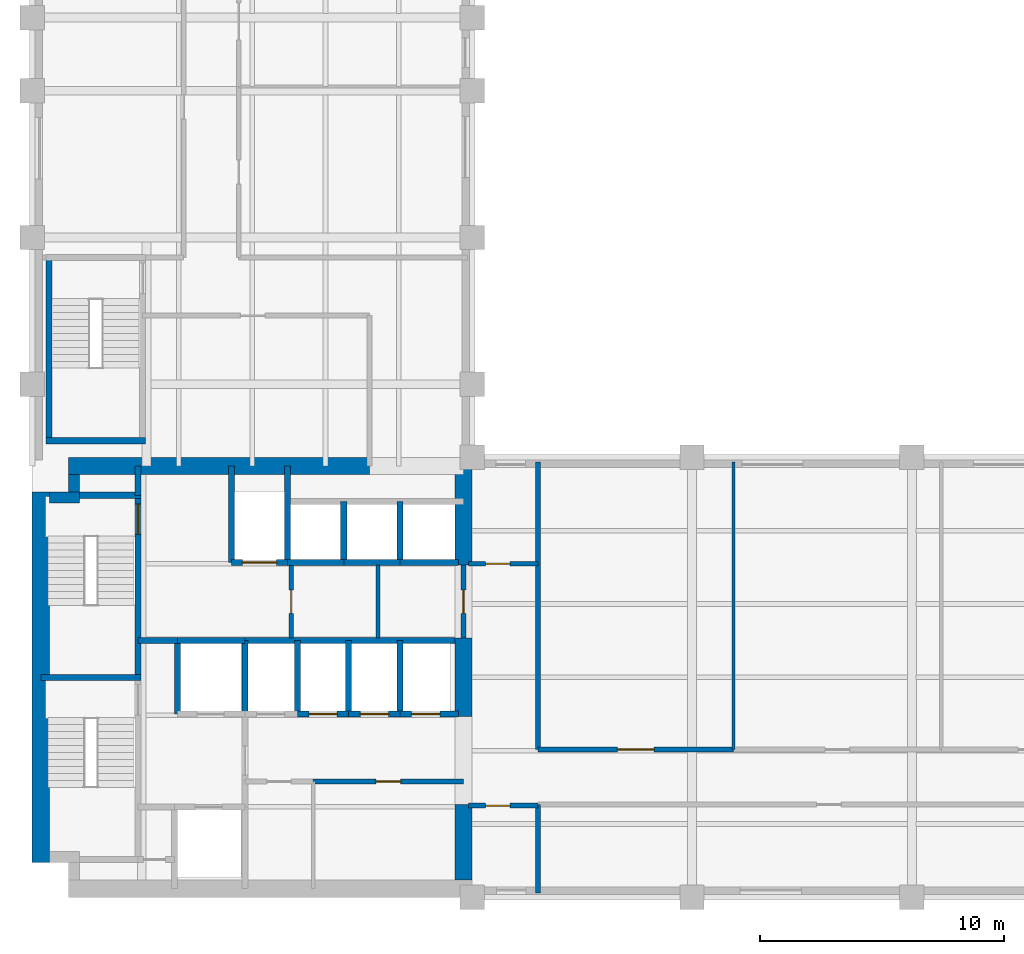
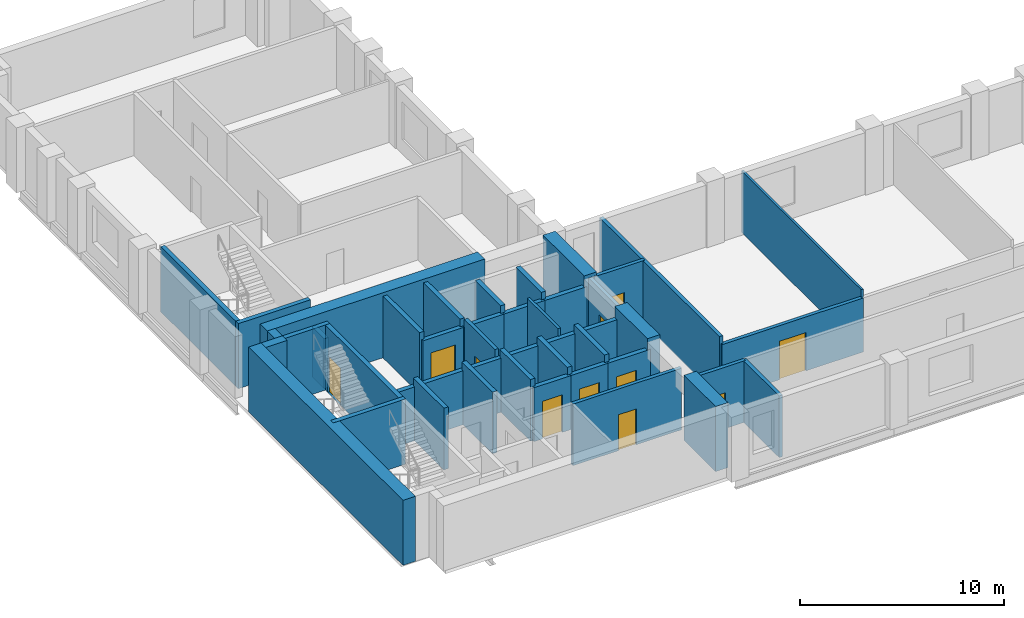
# One storey, part 3 of 7: 42 walls, 11 doors, 11 openings.
"""IFC4 building model written with IfcOpenShell, lengths in metres."""

from ifc_helpers import new_model, si_unit, direction, frame, frame_2d, origin, place, context, subcontext, project, spatial, rectangle, extrude, material, layer, layer_set, type_object, element, fill, save


model = new_model("IFC4")

# Units and contexts
model_context = context("Model", 3, precision=1e-05, world=origin(), true_north=direction((0.0, 1.0)))
body_context = subcontext(model_context, "Body", "Model", "MODEL_VIEW")
ifc_project = project(units=[si_unit("LENGTHUNIT", "METRE"), si_unit("AREAUNIT", "SQUARE_METRE"), si_unit("VOLUMEUNIT", "CUBIC_METRE"), si_unit("PLANEANGLEUNIT", "RADIAN"), si_unit("MASSUNIT", "GRAM", prefix="KILO")], contexts=[model_context])

# Site, building, storey
site_placement = place(None, origin())
site = spatial("IfcSite", under=ifc_project, at=site_placement, CompositionType="ELEMENT")
building_placement = place(site_placement, origin())
building = spatial("IfcBuilding", under=site, at=building_placement, Name="Mawjdan Bourse Tower", CompositionType="ELEMENT")
storey_placement = place(building_placement, frame((0.0, 0.0, 147.89990234375)))
storey = spatial("IfcBuildingStorey", under=building, at=storey_placement, Name="L35", CompositionType="ELEMENT", Elevation=147.89990234375)

# Wall, opening, door
ifc_material_1 = material(Name="Gypsum Fireboard Assembly")
ifc_layer_1 = layer(ifc_material_1, 0.199951171875)
ifc_layer_set_1 = layer_set([ifc_layer_1], Name="Gypsum Fireboard Assembly")
wall_type_1 = type_object("IfcWallType", Name="WL-CMP-200", PredefinedType="PARTITIONING", material=ifc_layer_set_1)
wall_1_placement = place(storey_placement, frame((17.5, 7.739990234375, 0.0), z_axis=(0.0, 0.0, 1.0), x_axis=(1.0, 0.0, 0.0)))
wall_1 = element("IfcWall", 1, at=wall_1_placement, inside=storey, type_object=wall_type_1, Name="L35 Reprographics & Pantry Suite North Wall", PredefinedType="PARTITIONING", context=body_context, shape_type="SweptSolid", body=[
    extrude(rectangle(XDim=6.14990234375, YDim=0.199951171875, at=frame_2d((3.074951171875, 0.0))), origin(), (0.0, 0.0, 1.0), 3.690185546875),
])
opening_1_placement = place(wall_1_placement, frame((2.574951171875, 0.0, 0.0)))
opening_1 = element("IfcOpeningElement", 2, at=opening_1_placement, cuts=wall_1, Name="Opening D-L35-11", PredefinedType="OPENING", context=body_context, shape_type="SweptSolid", body=[
    extrude(rectangle(XDim=1.0, YDim=2.14990234375, at=frame_2d((0.5, 1.074951171875))), frame((0.0, 0.10986328125, 0.0), z_axis=(0.0, -1.0, 0.0), x_axis=(1.0, 0.0, 0.0)), (0.0, 0.0, 1.0), 0.219970703125),
])
ifc_material_2 = material(Name="Hardwood Acoustic Leaf", Category="wood")
door_type_1 = type_object("IfcDoorType", Name="DR-OFC-1000", OperationType="NOTDEFINED", PredefinedType="DOOR", material=ifc_material_2)
door_1_placement = place(opening_1_placement, origin())
door_1 = element("IfcDoor", 3, at=door_1_placement, inside=storey, type_object=door_type_1, Name="L35 Reprographics & Pantry Suite Door D-L35-11", OperationType="SINGLE_SWING_LEFT", OverallHeight=2.14990234375, OverallWidth=1.0, PredefinedType="DOOR", context=body_context, shape_type="SweptSolid", body=[
    extrude(rectangle(XDim=1.0, YDim=2.14990234375, at=frame_2d((0.5, 1.074951171875))), frame((0.0, 0.02490234375, 0.0), z_axis=(0.0, -1.0, 0.0), x_axis=(1.0, 0.0, 0.0)), (0.0, 0.0, 1.0), 0.050048828125),
])
fill(opening_1, door_1)

wall_2_placement = place(storey_placement, frame((16.60009765625, 13.60009765625, 0.0), z_axis=(0.0, 0.0, 1.0), x_axis=(0.0, 1.0, 0.0)))
wall_2 = element("IfcWall", 4, at=wall_2_placement, inside=storey, type_object=wall_type_1, Name="L35 Core Restroom West Wall", PredefinedType="PARTITIONING", context=body_context, shape_type="SweptSolid", body=[
    extrude(rectangle(XDim=3.0, YDim=0.199951171875, at=frame_2d((1.5, 0.0))), origin(), (0.0, 0.0, 1.0), 3.690185546875),
])
opening_2_placement = place(wall_2_placement, frame((1.02001953125, 0.0, 0.0)))
opening_2 = element("IfcOpeningElement", 5, at=opening_2_placement, cuts=wall_2, Name="Opening D-L35-16", PredefinedType="OPENING", context=body_context, shape_type="SweptSolid", body=[
    extrude(rectangle(XDim=0.949951171875, YDim=2.10009765625, at=frame_2d((0.47509765625, 1.050048828125))), frame((0.0, 0.10986328125, 0.0), z_axis=(0.0, -1.0, 0.0), x_axis=(1.0, 0.0, 0.0)), (0.0, 0.0, 1.0), 0.219970703125),
])
ifc_material_3 = material(Name="Moisture-Resistant Laminate Timber", Category="wood")
door_type_2 = type_object("IfcDoorType", Name="DR-WET-0950", OperationType="NOTDEFINED", PredefinedType="DOOR", material=ifc_material_3)
door_2_placement = place(opening_2_placement, origin())
door_2 = element("IfcDoor", 6, at=door_2_placement, inside=storey, type_object=door_type_2, Name="L35 Female Restroom Entry Door D-L35-16", OperationType="SINGLE_SWING_RIGHT", OverallHeight=2.10009765625, OverallWidth=0.949951171875, PredefinedType="DOOR", context=body_context, shape_type="SweptSolid", body=[
    extrude(rectangle(XDim=0.949951171875, YDim=2.10009765625, at=frame_2d((0.47509765625, 1.050048828125))), frame((0.0, 0.02490234375, 0.0), z_axis=(0.0, -1.0, 0.0), x_axis=(1.0, 0.0, 0.0)), (0.0, 0.0, 1.0), 0.050048828125),
])
fill(opening_2, door_2)

wall_3_placement = place(storey_placement, frame((23.64990234375, 13.60009765625, 0.0), z_axis=(0.0, 0.0, 1.0), x_axis=(0.0, 1.0, 0.0)))
wall_3 = element("IfcWall", 7, at=wall_3_placement, inside=storey, type_object=wall_type_1, Name="L35 Core Restroom East Enclosing Wall", PredefinedType="PARTITIONING", context=body_context, shape_type="SweptSolid", body=[
    extrude(rectangle(XDim=3.0, YDim=0.199951171875, at=frame_2d((1.5, 0.0))), origin(), (0.0, 0.0, 1.0), 3.690185546875),
])
opening_3_placement = place(wall_3_placement, frame((1.02001953125, 0.0, 0.0)))
opening_3 = element("IfcOpeningElement", 8, at=opening_3_placement, cuts=wall_3, Name="Opening D-L35-17", PredefinedType="OPENING", context=body_context, shape_type="SweptSolid", body=[
    extrude(rectangle(XDim=0.949951171875, YDim=2.10009765625, at=frame_2d((0.47509765625, 1.050048828125))), frame((0.0, 0.10986328125, 0.0), z_axis=(0.0, -1.0, 0.0), x_axis=(1.0, 0.0, 0.0)), (0.0, 0.0, 1.0), 0.219970703125),
])
door_3_placement = place(opening_3_placement, origin())
door_3 = element("IfcDoor", 9, at=door_3_placement, inside=storey, type_object=door_type_2, Name="L35 Accessible WC East Entry Door D-L35-17", OperationType="SINGLE_SWING_LEFT", OverallHeight=2.10009765625, OverallWidth=0.949951171875, PredefinedType="DOOR", context=body_context, shape_type="SweptSolid", body=[
    extrude(rectangle(XDim=0.949951171875, YDim=2.10009765625, at=frame_2d((0.47509765625, 1.050048828125))), frame((0.0, 0.02490234375, 0.0), z_axis=(0.0, -1.0, 0.0), x_axis=(1.0, 0.0, 0.0)), (0.0, 0.0, 1.0), 0.050048828125),
])
fill(opening_3, door_3)

wall_4_placement = place(storey_placement, frame((23.85009765625, 6.75, 0.0), z_axis=(0.0, 0.0, 1.0), x_axis=(1.0, 0.0, 0.0)))
wall_4 = element("IfcWall", 10, at=wall_4_placement, inside=storey, type_object=wall_type_1, Name="L35 West Pocket North Wall", PredefinedType="PARTITIONING", context=body_context, shape_type="SweptSolid", body=[
    extrude(rectangle(XDim=2.849853515625, YDim=0.199951171875, at=frame_2d((1.4248046875, 0.0))), origin(), (0.0, 0.0, 1.0), 3.690185546875),
])
opening_4_placement = place(wall_4_placement, frame((0.699951171875, 0.0, 0.0)))
opening_4 = element("IfcOpeningElement", 11, at=opening_4_placement, cuts=wall_4, Name="Opening D-L35-19", PredefinedType="OPENING", context=body_context, shape_type="SweptSolid", body=[
    extrude(rectangle(XDim=1.0, YDim=2.14990234375, at=frame_2d((0.5, 1.074951171875))), frame((0.0, 0.10986328125, 0.0), z_axis=(0.0, -1.0, 0.0), x_axis=(1.0, 0.0, 0.0)), (0.0, 0.0, 1.0), 0.219970703125),
])
door_4_placement = place(opening_4_placement, origin())
door_4 = element("IfcDoor", 12, at=door_4_placement, inside=storey, type_object=door_type_1, Name="L35 West Pocket Office Door D-L35-19", OperationType="SINGLE_SWING_LEFT", OverallHeight=2.14990234375, OverallWidth=1.0, PredefinedType="DOOR", context=body_context, shape_type="SweptSolid", body=[
    extrude(rectangle(XDim=1.0, YDim=2.14990234375, at=frame_2d((0.5, 1.074951171875))), frame((0.0, 0.02490234375, 0.0), z_axis=(0.0, -1.0, 0.0), x_axis=(1.0, 0.0, 0.0)), (0.0, 0.0, 1.0), 0.050048828125),
])
fill(opening_4, door_4)

wall_5_placement = place(storey_placement, frame((23.85009765625, 16.64990234375, 0.0), z_axis=(0.0, 0.0, 1.0), x_axis=(1.0, 0.0, 0.0)))
wall_5 = element("IfcWall", 13, at=wall_5_placement, inside=storey, type_object=wall_type_1, Name="L35 West North Pocket Wall", PredefinedType="PARTITIONING", context=body_context, shape_type="SweptSolid", body=[
    extrude(rectangle(XDim=2.849853515625, YDim=0.199951171875, at=frame_2d((1.4248046875, 0.0))), origin(), (0.0, 0.0, 1.0), 3.690185546875),
])
opening_5_placement = place(wall_5_placement, frame((0.699951171875, 0.0, 0.0)))
opening_5 = element("IfcOpeningElement", 14, at=opening_5_placement, cuts=wall_5, Name="Opening D-L35-20", PredefinedType="OPENING", context=body_context, shape_type="SweptSolid", body=[
    extrude(rectangle(XDim=1.0, YDim=2.14990234375, at=frame_2d((0.5, 1.074951171875))), frame((0.0, 0.10986328125, 0.0), z_axis=(0.0, -1.0, 0.0), x_axis=(1.0, 0.0, 0.0)), (0.0, 0.0, 1.0), 0.219970703125),
])
door_5_placement = place(opening_5_placement, origin())
door_5 = element("IfcDoor", 15, at=door_5_placement, inside=storey, type_object=door_type_1, Name="L35 West North Pocket Door D-L35-20", OperationType="SINGLE_SWING_RIGHT", OverallHeight=2.14990234375, OverallWidth=1.0, PredefinedType="DOOR", context=body_context, shape_type="SweptSolid", body=[
    extrude(rectangle(XDim=1.0, YDim=2.14990234375, at=frame_2d((0.5, 1.074951171875))), frame((0.0, 0.02490234375, 0.0), z_axis=(0.0, -1.0, 0.0), x_axis=(1.0, 0.0, 0.0)), (0.0, 0.0, 1.0), 0.050048828125),
])
fill(opening_5, door_5)

# Walls
wall_6_placement = place(storey_placement, frame((26.699951171875, 3.179931640625, 0.0), z_axis=(0.0, 0.0, 1.0), x_axis=(0.0, 1.0, 0.0)))
element("IfcWall", 16, at=wall_6_placement, inside=storey, type_object=wall_type_1, Name="L35 Vestibule South East Wall", PredefinedType="PARTITIONING", context=body_context, shape_type="SweptSolid", body=[
    extrude(rectangle(XDim=3.6201171875, YDim=0.199951171875, at=frame_2d((1.81005859375, 0.0))), origin(), (0.0, 0.0, 1.0), 3.690185546875),
])
wall_7_placement = place(storey_placement, frame((26.699951171875, 9.050048828125, 0.0), z_axis=(0.0, 0.0, 1.0), x_axis=(0.0, 1.0, 0.0)))
element("IfcWall", 17, at=wall_7_placement, inside=storey, type_object=wall_type_1, Name="L35 Vestibule North East Wall", PredefinedType="PARTITIONING", context=body_context, shape_type="SweptSolid", body=[
    extrude(rectangle(XDim=11.77001953125, YDim=0.199951171875, at=frame_2d((5.885009765625, 0.0))), origin(), (0.0, 0.0, 1.0), 3.690185546875),
])

# Wall, opening, door
wall_8_placement = place(storey_placement, frame((26.699951171875, 9.050048828125, 0.0), z_axis=(0.0, 0.0, 1.0), x_axis=(1.0, 0.0, 0.0)))
wall_8 = element("IfcWall", 18, at=wall_8_placement, inside=storey, type_object=wall_type_1, Name="L35 Conference Room Corridor Wall", PredefinedType="PARTITIONING", context=body_context, shape_type="SweptSolid", body=[
    extrude(rectangle(XDim=8.0, YDim=0.199951171875, at=frame_2d((4.0, 0.0))), origin(), (0.0, 0.0, 1.0), 3.233154296875),
])
opening_6_placement = place(wall_8_placement, frame((3.25, 0.0, 0.0)))
opening_6 = element("IfcOpeningElement", 19, at=opening_6_placement, cuts=wall_8, Name="Opening D-L35-22", PredefinedType="OPENING", context=body_context, shape_type="SweptSolid", body=[
    extrude(rectangle(XDim=1.5, YDim=2.300048828125, at=frame_2d((0.75, 1.14990234375))), frame((0.0, 0.10986328125, 0.0), z_axis=(0.0, -1.0, 0.0), x_axis=(1.0, 0.0, 0.0)), (0.0, 0.0, 1.0), 0.219970703125),
])
ifc_material_4 = material(Name="Acoustic Glazed Timber", Category="wood")
door_type_3 = type_object("IfcDoorType", Name="DR-CNF-1500", OperationType="DOUBLE_DOOR_SINGLE_SWING", PredefinedType="DOOR", material=ifc_material_4)
door_6_placement = place(opening_6_placement, origin())
door_6 = element("IfcDoor", 20, at=door_6_placement, inside=storey, type_object=door_type_3, Name="L35 Conference Room Door D-L35-22", OperationType="DOUBLE_DOOR_SINGLE_SWING", OverallHeight=2.300048828125, OverallWidth=1.5, PredefinedType="DOOR", context=body_context, shape_type="SweptSolid", body=[
    extrude(rectangle(XDim=1.5, YDim=2.300048828125, at=frame_2d((0.75, 1.14990234375))), frame((0.0, 0.02490234375, 0.0), z_axis=(0.0, -1.0, 0.0), x_axis=(1.0, 0.0, 0.0)), (0.0, 0.0, 1.0), 0.050048828125),
])
fill(opening_6, door_6)

# Walls
ifc_material_5 = material(Name="Concrete C60/75", Category="concrete")
ifc_layer_2 = layer(ifc_material_5, 0.449951171875)
ifc_layer_set_2 = layer_set([ifc_layer_2], Name="Concrete C60/75")
wall_type_2 = type_object("IfcWallType", Name="WL-CORE-450", PredefinedType="SHEAR", material=ifc_layer_set_2)
wall_9_placement = place(storey_placement, frame((6.699951171875, 19.35009765625, 0.0), z_axis=(0.0, 0.0, 1.0), x_axis=(1.0, 0.0, 0.0)))
element("IfcWall", 21, at=wall_9_placement, inside=storey, type_object=wall_type_2, Name="L35 Rear Core Shear Wall NW-X", PredefinedType="SHEAR", context=body_context, shape_type="SweptSolid", body=[
    extrude(rectangle(XDim=1.22509765625, YDim=0.449951171875, at=frame_2d((0.612548828125, 0.0))), origin(), (0.0, 0.0, 1.0), 3.900146484375),
])
wall_10_placement = place(storey_placement, frame((7.699951171875, 19.574951171875, 0.0), z_axis=(0.0, 0.0, 1.0), x_axis=(0.0, 1.0, 0.0)))
element("IfcWall", 22, at=wall_10_placement, inside=storey, type_object=wall_type_2, Name="L35 Rear Core Shear Wall NW-Y", PredefinedType="SHEAR", context=body_context, shape_type="SweptSolid", body=[
    extrude(rectangle(XDim=0.72509765625, YDim=0.449951171875, at=frame_2d((0.362548828125, 0.0))), origin(), (0.0, 0.0, 1.0), 3.900146484375),
])
ifc_material_6 = material(Name="Concrete C70/85", Category="concrete")
ifc_layer_3 = layer(ifc_material_6, 0.699951171875)
ifc_layer_set_3 = layer_set([ifc_layer_3], Name="Concrete C70/85")
wall_type_3 = type_object("IfcWallType", Name="WL-CORE-700", PredefinedType="SHEAR", material=ifc_layer_set_3)
wall_11_placement = place(storey_placement, frame((6.35009765625, 4.425048828125, 0.0), z_axis=(0.0, 0.0, 1.0), x_axis=(0.0, 1.0, 0.0)))
element("IfcWall", 23, at=wall_11_placement, inside=storey, type_object=wall_type_3, Name="L35 Rear Core Shear Wall W", PredefinedType="SHEAR", context=body_context, shape_type="SweptSolid", body=[
    extrude(rectangle(XDim=15.14990234375, YDim=0.699951171875, at=frame_2d((7.574951171875, 0.0))), origin(), (0.0, 0.0, 1.0), 3.900146484375),
])
wall_12_placement = place(storey_placement, frame((7.47509765625, 20.64990234375, 0.0), z_axis=(0.0, 0.0, 1.0), x_axis=(1.0, 0.0, 0.0)))
element("IfcWall", 24, at=wall_12_placement, inside=storey, type_object=wall_type_3, Name="L35 Rear Core Shear Wall N", PredefinedType="SHEAR", context=body_context, shape_type="SweptSolid", body=[
    extrude(rectangle(XDim=12.324951171875, YDim=0.699951171875, at=frame_2d((6.16259765625, 0.0))), origin(), (0.0, 0.0, 1.0), 3.900146484375),
])
wall_13_placement = place(storey_placement, frame((23.64990234375, 3.699951171875, 0.0), z_axis=(0.0, 0.0, 1.0), x_axis=(0.0, 1.0, 0.0)))
element("IfcWall", 25, at=wall_13_placement, inside=storey, type_object=wall_type_3, Name="L35 Rear Core Shear Wall E1", PredefinedType="SHEAR", context=body_context, shape_type="SweptSolid", body=[
    extrude(rectangle(XDim=3.10009765625, YDim=0.699951171875, at=frame_2d((1.550048828125, 0.0))), origin(), (0.0, 0.0, 1.0), 3.900146484375),
])
wall_14_placement = place(storey_placement, frame((23.64990234375, 10.39990234375, 0.0), z_axis=(0.0, 0.0, 1.0), x_axis=(0.0, 1.0, 0.0)))
element("IfcWall", 26, at=wall_14_placement, inside=storey, type_object=wall_type_3, Name="L35 Rear Core Shear Wall E2", PredefinedType="SHEAR", context=body_context, shape_type="SweptSolid", body=[
    extrude(rectangle(XDim=3.2001953125, YDim=0.699951171875, at=frame_2d((1.60009765625, 0.0))), origin(), (0.0, 0.0, 1.0), 3.900146484375),
])
wall_15_placement = place(storey_placement, frame((23.64990234375, 16.60009765625, 0.0), z_axis=(0.0, 0.0, 1.0), x_axis=(0.0, 1.0, 0.0)))
element("IfcWall", 27, at=wall_15_placement, inside=storey, type_object=wall_type_3, Name="L35 Rear Core Shear Wall E3", PredefinedType="SHEAR", context=body_context, shape_type="SweptSolid", body=[
    extrude(rectangle(XDim=4.0498046875, YDim=0.699951171875, at=frame_2d((2.02490234375, 0.0))), origin(), (0.0, 0.0, 1.0), 3.900146484375),
])
ifc_material_7 = material(Name="Gypsum Partition")
ifc_layer_4 = layer(ifc_material_7, 0.125)
ifc_layer_set_4 = layer_set([ifc_layer_4], Name="Gypsum Partition")
wall_type_4 = type_object("IfcWallType", Name="WL-PRT-125", PredefinedType="PARTITIONING", material=ifc_layer_set_4)
wall_16_placement = place(storey_placement, frame((34.699951171875, 9.050048828125, 0.0), z_axis=(0.0, 0.0, 1.0), x_axis=(0.0, 1.0, 0.0)))
element("IfcWall", 28, at=wall_16_placement, inside=storey, type_object=wall_type_4, Name="L35 Executive Office Partition", PredefinedType="PARTITIONING", context=body_context, shape_type="SweptSolid", body=[
    extrude(rectangle(XDim=11.77001953125, YDim=0.125, at=frame_2d((5.885009765625, 0.0))), origin(), (0.0, 0.0, 1.0), 3.690185546875),
])
ifc_material_8 = material(Name="Gypsum Acoustic Partition")
ifc_layer_5 = layer(ifc_material_8, 0.14990234375)
ifc_layer_set_5 = layer_set([ifc_layer_5], Name="Gypsum Acoustic Partition")
wall_type_5 = type_object("IfcWallType", Name="WL-PRT-150", PredefinedType="PARTITIONING", material=ifc_layer_set_5)
wall_17_placement = place(storey_placement, frame((20.14990234375, 13.60009765625, 0.0), z_axis=(0.0, 0.0, 1.0), x_axis=(0.0, 1.0, 0.0)))
element("IfcWall", 29, at=wall_17_placement, inside=storey, type_object=wall_type_5, Name="L35 Core Restroom Vertical Split", PredefinedType="PARTITIONING", context=body_context, shape_type="SweptSolid", body=[
    extrude(rectangle(XDim=3.0, YDim=0.14990234375, at=frame_2d((1.5, 0.0))), origin(), (0.0, 0.0, 1.0), 3.690185546875),
])
ifc_material_9 = material(Name="Concrete C50/60", Category="concrete")
ifc_layer_6 = layer(ifc_material_9, 0.25)
ifc_layer_set_6 = layer_set([ifc_layer_6], Name="Concrete C50/60")
wall_type_6 = type_object("IfcWallType", Name="WL-SHFT-250", PredefinedType="PARTITIONING", material=ifc_layer_set_6)
wall_18_placement = place(storey_placement, frame((10.330078125, 19.449951171875, 0.0), z_axis=(0.0, 0.0, 1.0), x_axis=(0.0, 1.0, 0.0)))
element("IfcWall", 30, at=wall_18_placement, inside=storey, type_object=wall_type_6, Name="L35 NW Riser East Wall", PredefinedType="PARTITIONING", context=body_context, shape_type="SweptSolid", body=[
    extrude(rectangle(XDim=1.199951171875, YDim=0.25, at=frame_2d((0.60009765625, 0.0))), origin(), (0.0, 0.0, 1.0), 2.994140625),
])
wall_19_placement = place(storey_placement, frame((11.949951171875, 10.5, 0.0), z_axis=(0.0, 0.0, 1.0), x_axis=(0.0, 1.0, 0.0)))
element("IfcWall", 31, at=wall_19_placement, inside=storey, type_object=wall_type_6, Name="L35 FFL-02 West Shaft Wall", PredefinedType="PARTITIONING", context=body_context, shape_type="SweptSolid", body=[
    extrude(rectangle(XDim=3.0, YDim=0.25, at=frame_2d((1.5, 0.0))), origin(), (0.0, 0.0, 1.0), 3.690185546875),
])
wall_20_placement = place(storey_placement, frame((11.949951171875, 13.5, 0.0), z_axis=(0.0, 0.0, 1.0), x_axis=(1.0, 0.0, 0.0)))
element("IfcWall", 32, at=wall_20_placement, inside=storey, type_object=wall_type_6, Name="L35 FFL-02 North Shaft Wall", PredefinedType="PARTITIONING", context=body_context, shape_type="SweptSolid", body=[
    extrude(rectangle(XDim=2.75, YDim=0.25, at=frame_2d((1.375, 0.0))), origin(), (0.0, 0.0, 1.0), 3.233154296875),
])
wall_21_placement = place(storey_placement, frame((14.699951171875, 10.5, 0.0), z_axis=(0.0, 0.0, 1.0), x_axis=(0.0, 1.0, 0.0)))
element("IfcWall", 33, at=wall_21_placement, inside=storey, type_object=wall_type_6, Name="L35 FFL-02 East Shaft Wall", PredefinedType="PARTITIONING", context=body_context, shape_type="SweptSolid", body=[
    extrude(rectangle(XDim=3.0, YDim=0.25, at=frame_2d((1.5, 0.0))), origin(), (0.0, 0.0, 1.0), 3.690185546875),
])
wall_22_placement = place(storey_placement, frame((10.330078125, 13.5, 0.0), z_axis=(0.0, 0.0, 1.0), x_axis=(1.0, 0.0, 0.0)))
element("IfcWall", 34, at=wall_22_placement, inside=storey, type_object=wall_type_6, Name="L35 Firefighting Lobby North Compartment Wall", PredefinedType="PARTITIONING", context=body_context, shape_type="SweptSolid", body=[
    extrude(rectangle(XDim=1.619873046875, YDim=0.25, at=frame_2d((0.81005859375, 0.0))), origin(), (0.0, 0.0, 1.0), 3.233154296875),
])

# Wall, opening, door
wall_23_placement = place(storey_placement, frame((14.14990234375, 16.699951171875, 0.0), z_axis=(0.0, 0.0, 1.0), x_axis=(1.0, 0.0, 0.0)))
wall_23 = element("IfcWall", 35, at=wall_23_placement, inside=storey, type_object=wall_type_6, Name="L35 SVL-01 Front Shaft Wall", PredefinedType="PARTITIONING", context=body_context, shape_type="SweptSolid", body=[
    extrude(rectangle(XDim=2.300048828125, YDim=0.25, at=frame_2d((1.14990234375, 0.0))), origin(), (0.0, 0.0, 1.0), 3.233154296875),
])
opening_7_placement = place(wall_23_placement, frame((0.449951171875, 0.0, 0.0)))
opening_7 = element("IfcOpeningElement", 36, at=opening_7_placement, cuts=wall_23, Name="Opening LD-L35-09", PredefinedType="OPENING", context=body_context, shape_type="SweptSolid", body=[
    extrude(rectangle(XDim=1.39990234375, YDim=2.35009765625, at=frame_2d((0.699951171875, 1.175048828125))), frame((0.0, 0.135009765625, 0.0), z_axis=(0.0, -1.0, 0.0), x_axis=(1.0, 0.0, 0.0)), (0.0, 0.0, 1.0), 0.27001953125),
])
ifc_material_10 = material(Name="Heavy-Duty Stainless Steel", Category="steel")
door_type_4 = type_object("IfcDoorType", Name="LD-SRV-1400", OperationType="DOUBLE_DOOR_SLIDING", PredefinedType="DOOR", material=ifc_material_10)
door_7_placement = place(opening_7_placement, origin())
door_7 = element("IfcDoor", 37, at=door_7_placement, inside=storey, type_object=door_type_4, Name="L35 Service Lift SVL-01 Landing Door LD-L35-09", OperationType="DOUBLE_DOOR_SLIDING", OverallHeight=2.35009765625, OverallWidth=1.39990234375, PredefinedType="DOOR", context=body_context, shape_type="SweptSolid", body=[
    extrude(rectangle(XDim=1.39990234375, YDim=2.35009765625, at=frame_2d((0.699951171875, 1.175048828125))), frame((0.0, 0.02490234375, 0.0), z_axis=(0.0, -1.0, 0.0), x_axis=(1.0, 0.0, 0.0)), (0.0, 0.0, 1.0), 0.050048828125),
])
fill(opening_7, door_7)

# Walls
for number, where, z_axis, x_axis, name in (
    (38, (14.14990234375, 16.699951171875, 0.0), (0.0, 0.0, 1.0), (0.0, 1.0, 0.0), "L35 SVL-01 West Shaft Wall"),
    (39, (16.449951171875, 16.699951171875, 0.0), (0.0, 0.0, 1.0), (0.0, 1.0, 0.0), "L35 SVL-01 East Shaft Wall"),
):
    element("IfcWall", number, at=place(storey_placement, frame(where, z_axis=z_axis, x_axis=x_axis)), inside=storey, type_object=wall_type_6, Name=name, PredefinedType="PARTITIONING", context=body_context, shape_type="SweptSolid", body=[
        extrude(rectangle(XDim=3.949951171875, YDim=0.25, at=frame_2d((1.97509765625, 0.0))), origin(), (0.0, 0.0, 1.0), 3.690185546875),
    ])
wall_24_placement = place(storey_placement, frame((16.449951171875, 16.699951171875, 0.0), z_axis=(0.0, 0.0, 1.0), x_axis=(1.0, 0.0, 0.0)))
element("IfcWall", 40, at=wall_24_placement, inside=storey, type_object=wall_type_6, Name="L35 PH-01 Front Wall", PredefinedType="PARTITIONING", context=body_context, shape_type="SweptSolid", body=[
    extrude(rectangle(XDim=2.300048828125, YDim=0.25, at=frame_2d((1.14990234375, 0.0))), origin(), (0.0, 0.0, 1.0), 3.233154296875),
])
wall_25_placement = place(storey_placement, frame((18.75, 16.699951171875, 0.0), z_axis=(0.0, 0.0, 1.0), x_axis=(0.0, 1.0, 0.0)))
element("IfcWall", 41, at=wall_25_placement, inside=storey, type_object=wall_type_6, Name="L35 PH-01 Divider Wall", PredefinedType="PARTITIONING", context=body_context, shape_type="SweptSolid", body=[
    extrude(rectangle(XDim=2.5, YDim=0.25, at=frame_2d((1.25, 0.0))), origin(), (0.0, 0.0, 1.0), 3.690185546875),
])
wall_26_placement = place(storey_placement, frame((18.75, 16.699951171875, 0.0), z_axis=(0.0, 0.0, 1.0), x_axis=(1.0, 0.0, 0.0)))
element("IfcWall", 42, at=wall_26_placement, inside=storey, type_object=wall_type_6, Name="L35 PH-02 Front Wall", PredefinedType="PARTITIONING", context=body_context, shape_type="SweptSolid", body=[
    extrude(rectangle(XDim=2.300048828125, YDim=0.25, at=frame_2d((1.14990234375, 0.0))), origin(), (0.0, 0.0, 1.0), 3.233154296875),
])
wall_27_placement = place(storey_placement, frame((21.050048828125, 16.699951171875, 0.0), z_axis=(0.0, 0.0, 1.0), x_axis=(0.0, 1.0, 0.0)))
element("IfcWall", 43, at=wall_27_placement, inside=storey, type_object=wall_type_6, Name="L35 PH-02 Divider Wall", PredefinedType="PARTITIONING", context=body_context, shape_type="SweptSolid", body=[
    extrude(rectangle(XDim=2.5, YDim=0.25, at=frame_2d((1.25, 0.0))), origin(), (0.0, 0.0, 1.0), 3.690185546875),
])
wall_28_placement = place(storey_placement, frame((21.050048828125, 16.699951171875, 0.0), z_axis=(0.0, 0.0, 1.0), x_axis=(1.0, 0.0, 0.0)))
element("IfcWall", 44, at=wall_28_placement, inside=storey, type_object=wall_type_6, Name="L35 PH-03 Front Wall", PredefinedType="PARTITIONING", context=body_context, shape_type="SweptSolid", body=[
    extrude(rectangle(XDim=2.39990234375, YDim=0.25, at=frame_2d((1.199951171875, 0.0))), origin(), (0.0, 0.0, 1.0), 3.233154296875),
])
wall_29_placement = place(storey_placement, frame((16.85009765625, 10.5, 0.0), z_axis=(0.0, 0.0, 1.0), x_axis=(0.0, 1.0, 0.0)))
element("IfcWall", 45, at=wall_29_placement, inside=storey, type_object=wall_type_6, Name="L35 PM-01 Divider Wall", PredefinedType="PARTITIONING", context=body_context, shape_type="SweptSolid", body=[
    extrude(rectangle(XDim=3.0, YDim=0.25, at=frame_2d((1.5, 0.0))), origin(), (0.0, 0.0, 1.0), 3.690185546875),
])

# Wall, opening, door
wall_30_placement = place(storey_placement, frame((16.85009765625, 10.5, 0.0), z_axis=(0.0, 0.0, 1.0), x_axis=(1.0, 0.0, 0.0)))
wall_30 = element("IfcWall", 46, at=wall_30_placement, inside=storey, type_object=wall_type_6, Name="L35 PM-02 Front Wall", PredefinedType="PARTITIONING", context=body_context, shape_type="SweptSolid", body=[
    extrude(rectangle(XDim=2.099853515625, YDim=0.25, at=frame_2d((1.0498046875, 0.0))), origin(), (0.0, 0.0, 1.0), 3.233154296875),
])
opening_8_placement = place(wall_30_placement, frame((0.47998046875, 0.0, 0.0)))
opening_8 = element("IfcOpeningElement", 47, at=opening_8_placement, cuts=wall_30, Name="Opening LD-L35-13", PredefinedType="OPENING", context=body_context, shape_type="SweptSolid", body=[
    extrude(rectangle(XDim=1.14990234375, YDim=2.25, at=frame_2d((0.574951171875, 1.125))), frame((0.0, 0.135009765625, 0.0), z_axis=(0.0, -1.0, 0.0), x_axis=(1.0, 0.0, 0.0)), (0.0, 0.0, 1.0), 0.27001953125),
])
ifc_material_11 = material(Name="Brushed Stainless Steel", Category="steel")
door_type_5 = type_object("IfcDoorType", Name="LD-PAS-1150", OperationType="DOUBLE_DOOR_SLIDING", PredefinedType="DOOR", material=ifc_material_11)
door_8_placement = place(opening_8_placement, origin())
door_8 = element("IfcDoor", 48, at=door_8_placement, inside=storey, type_object=door_type_5, Name="L35 Lift PM-02 Landing Door LD-L35-13", OperationType="DOUBLE_DOOR_SLIDING", OverallHeight=2.25, OverallWidth=1.14990234375, PredefinedType="DOOR", context=body_context, shape_type="SweptSolid", body=[
    extrude(rectangle(XDim=1.14990234375, YDim=2.25, at=frame_2d((0.574951171875, 1.125))), frame((0.0, 0.02490234375, 0.0), z_axis=(0.0, -1.0, 0.0), x_axis=(1.0, 0.0, 0.0)), (0.0, 0.0, 1.0), 0.050048828125),
])
fill(opening_8, door_8)

# Wall
wall_31_placement = place(storey_placement, frame((18.949951171875, 10.5, 0.0), z_axis=(0.0, 0.0, 1.0), x_axis=(0.0, 1.0, 0.0)))
element("IfcWall", 49, at=wall_31_placement, inside=storey, type_object=wall_type_6, Name="L35 PM-02 Divider Wall", PredefinedType="PARTITIONING", context=body_context, shape_type="SweptSolid", body=[
    extrude(rectangle(XDim=3.0, YDim=0.25, at=frame_2d((1.5, 0.0))), origin(), (0.0, 0.0, 1.0), 3.690185546875),
])

# Wall, opening, door
wall_32_placement = place(storey_placement, frame((18.949951171875, 10.5, 0.0), z_axis=(0.0, 0.0, 1.0), x_axis=(1.0, 0.0, 0.0)))
wall_32 = element("IfcWall", 50, at=wall_32_placement, inside=storey, type_object=wall_type_6, Name="L35 PM-03 Front Wall", PredefinedType="PARTITIONING", context=body_context, shape_type="SweptSolid", body=[
    extrude(rectangle(XDim=2.10009765625, YDim=0.25, at=frame_2d((1.050048828125, 0.0))), origin(), (0.0, 0.0, 1.0), 3.233154296875),
])
opening_9_placement = place(wall_32_placement, frame((0.47998046875, 0.0, 0.0)))
opening_9 = element("IfcOpeningElement", 51, at=opening_9_placement, cuts=wall_32, Name="Opening LD-L35-14", PredefinedType="OPENING", context=body_context, shape_type="SweptSolid", body=[
    extrude(rectangle(XDim=1.14990234375, YDim=2.25, at=frame_2d((0.574951171875, 1.125))), frame((0.0, 0.135009765625, 0.0), z_axis=(0.0, -1.0, 0.0), x_axis=(1.0, 0.0, 0.0)), (0.0, 0.0, 1.0), 0.27001953125),
])
door_9_placement = place(opening_9_placement, origin())
door_9 = element("IfcDoor", 52, at=door_9_placement, inside=storey, type_object=door_type_5, Name="L35 Lift PM-03 Landing Door LD-L35-14", OperationType="DOUBLE_DOOR_SLIDING", OverallHeight=2.25, OverallWidth=1.14990234375, PredefinedType="DOOR", context=body_context, shape_type="SweptSolid", body=[
    extrude(rectangle(XDim=1.14990234375, YDim=2.25, at=frame_2d((0.574951171875, 1.125))), frame((0.0, 0.02490234375, 0.0), z_axis=(0.0, -1.0, 0.0), x_axis=(1.0, 0.0, 0.0)), (0.0, 0.0, 1.0), 0.050048828125),
])
fill(opening_9, door_9)

# Wall
wall_33_placement = place(storey_placement, frame((21.050048828125, 10.5, 0.0), z_axis=(0.0, 0.0, 1.0), x_axis=(0.0, 1.0, 0.0)))
element("IfcWall", 53, at=wall_33_placement, inside=storey, type_object=wall_type_6, Name="L35 PM-03 Divider Wall", PredefinedType="PARTITIONING", context=body_context, shape_type="SweptSolid", body=[
    extrude(rectangle(XDim=3.0, YDim=0.25, at=frame_2d((1.5, 0.0))), origin(), (0.0, 0.0, 1.0), 3.690185546875),
])

# Wall, opening, door
wall_34_placement = place(storey_placement, frame((21.050048828125, 10.5, 0.0), z_axis=(0.0, 0.0, 1.0), x_axis=(1.0, 0.0, 0.0)))
wall_34 = element("IfcWall", 54, at=wall_34_placement, inside=storey, type_object=wall_type_6, Name="L35 PM-04 Front Wall", PredefinedType="PARTITIONING", context=body_context, shape_type="SweptSolid", body=[
    extrude(rectangle(XDim=2.39990234375, YDim=0.25, at=frame_2d((1.199951171875, 0.0))), origin(), (0.0, 0.0, 1.0), 3.233154296875),
])
opening_10_placement = place(wall_34_placement, frame((0.47998046875, 0.0, 0.0)))
opening_10 = element("IfcOpeningElement", 55, at=opening_10_placement, cuts=wall_34, Name="Opening LD-L35-15", PredefinedType="OPENING", context=body_context, shape_type="SweptSolid", body=[
    extrude(rectangle(XDim=1.14990234375, YDim=2.25, at=frame_2d((0.574951171875, 1.125))), frame((0.0, 0.135009765625, 0.0), z_axis=(0.0, -1.0, 0.0), x_axis=(1.0, 0.0, 0.0)), (0.0, 0.0, 1.0), 0.27001953125),
])
door_10_placement = place(opening_10_placement, origin())
door_10 = element("IfcDoor", 56, at=door_10_placement, inside=storey, type_object=door_type_5, Name="L35 Lift PM-04 Landing Door LD-L35-15", OperationType="DOUBLE_DOOR_SLIDING", OverallHeight=2.25, OverallWidth=1.14990234375, PredefinedType="DOOR", context=body_context, shape_type="SweptSolid", body=[
    extrude(rectangle(XDim=1.14990234375, YDim=2.25, at=frame_2d((0.574951171875, 1.125))), frame((0.0, 0.02490234375, 0.0), z_axis=(0.0, -1.0, 0.0), x_axis=(1.0, 0.0, 0.0)), (0.0, 0.0, 1.0), 0.050048828125),
])
fill(opening_10, door_10)

# Walls
wall_35_placement = place(storey_placement, frame((14.699951171875, 13.5, 0.0), z_axis=(0.0, 0.0, 1.0), x_axis=(1.0, 0.0, 0.0)))
element("IfcWall", 57, at=wall_35_placement, inside=storey, type_object=wall_type_6, Name="L35 PM Bank North Shaft Back Wall", PredefinedType="PARTITIONING", context=body_context, shape_type="SweptSolid", body=[
    extrude(rectangle(XDim=8.949951171875, YDim=0.25, at=frame_2d((4.47509765625, 0.0))), origin(), (0.0, 0.0, 1.0), 3.233154296875),
])
ifc_layer_7 = layer(ifc_material_9, 0.25)
ifc_layer_set_7 = layer_set([ifc_layer_7], Name="Concrete C50/60")
wall_type_7 = type_object("IfcWallType", Name="WL-STRW-250", PredefinedType="SHEAR", material=ifc_layer_set_7)
wall_36_placement = place(storey_placement, frame((6.35009765625, 12.0, 0.0), z_axis=(0.0, 0.0, 1.0), x_axis=(1.0, 0.0, 0.0)))
element("IfcWall", 58, at=wall_36_placement, inside=storey, type_object=wall_type_7, Name="L35 Stairwell Dividing Shaft Wall", PredefinedType="SHEAR", context=body_context, shape_type="SweptSolid", body=[
    extrude(rectangle(XDim=4.10498046875, YDim=0.25, at=frame_2d((2.052490234375, 0.0))), origin(), (0.0, 0.0, 1.0), 3.900146484375),
])
wall_37_placement = place(storey_placement, frame((7.699951171875, 19.449951171875, 0.0), z_axis=(0.0, 0.0, 1.0), x_axis=(1.0, 0.0, 0.0)))
element("IfcWall", 59, at=wall_37_placement, inside=storey, type_object=wall_type_7, Name="L35 Stairwell ST2 North Shaft Wall", PredefinedType="SHEAR", context=body_context, shape_type="SweptSolid", body=[
    extrude(rectangle(XDim=2.755126953125, YDim=0.25, at=frame_2d((1.37744140625, 0.0))), origin(), (0.0, 0.0, 1.0), 3.900146484375),
])

# Wall, opening, door
wall_38_placement = place(storey_placement, frame((10.330078125, 12.0, 0.0), z_axis=(0.0, 0.0, 1.0), x_axis=(0.0, 1.0, 0.0)))
wall_38 = element("IfcWall", 60, at=wall_38_placement, inside=storey, type_object=wall_type_7, Name="L35 Stairwell ST2 East Enclosure Wall", PredefinedType="SHEAR", context=body_context, shape_type="SweptSolid", body=[
    extrude(rectangle(XDim=7.449951171875, YDim=0.25, at=frame_2d((3.72509765625, 0.0))), origin(), (0.0, 0.0, 1.0), 3.900146484375),
])
opening_11_placement = place(wall_38_placement, frame((5.85009765625, 0.0, 0.0)))
opening_11 = element("IfcOpeningElement", 61, at=opening_11_placement, cuts=wall_38, Name="Opening SD-L35-02", PredefinedType="OPENING", context=body_context, shape_type="SweptSolid", body=[
    extrude(rectangle(XDim=1.25, YDim=2.199951171875, at=frame_2d((0.625, 1.10009765625))), frame((0.0, 0.135009765625, 0.0), z_axis=(0.0, -1.0, 0.0), x_axis=(1.0, 0.0, 0.0)), (0.0, 0.0, 1.0), 0.27001953125),
])
ifc_material_12 = material(Name="Fire-Rated Steel Leaf", Category="steel")
door_type_6 = type_object("IfcDoorType", Name="FD-ST-1250", OperationType="NOTDEFINED", PredefinedType="DOOR", material=ifc_material_12)
door_11_placement = place(opening_11_placement, origin())
door_11 = element("IfcDoor", 62, at=door_11_placement, inside=storey, type_object=door_type_6, Name="L35 Exit Stair ST2 Fire Door SD-L35-02", OperationType="SINGLE_SWING_LEFT", OverallHeight=2.199951171875, OverallWidth=1.25, PredefinedType="DOOR", context=body_context, shape_type="SweptSolid", body=[
    extrude(rectangle(XDim=1.25, YDim=2.199951171875, at=frame_2d((0.625, 1.10009765625))), frame((0.0, 0.02490234375, 0.0), z_axis=(0.0, -1.0, 0.0), x_axis=(1.0, 0.0, 0.0)), (0.0, 0.0, 1.0), 0.050048828125),
])
fill(opening_11, door_11)

# Walls
wall_39_placement = place(storey_placement, frame((6.554931640625, 21.679931640625, 0.0), z_axis=(0.0, 0.0, 1.0), x_axis=(1.0, 0.0, 0.0)))
element("IfcWall", 63, at=wall_39_placement, inside=storey, type_object=wall_type_7, Name="L35 ST3 South Shaft Wall", PredefinedType="SHEAR", context=body_context, shape_type="SweptSolid", body=[
    extrude(rectangle(XDim=4.090087890625, YDim=0.25, at=frame_2d((2.044921875, 0.0))), origin(), (0.0, 0.0, 1.0), 3.900146484375),
])
wall_40_placement = place(storey_placement, frame((6.679931640625, 21.679931640625, 0.0), z_axis=(0.0, 0.0, 1.0), x_axis=(0.0, 1.0, 0.0)))
element("IfcWall", 64, at=wall_40_placement, inside=storey, type_object=wall_type_7, Name="L35 ST3 West Shaft Wall", PredefinedType="SHEAR", context=body_context, shape_type="SweptSolid", body=[
    extrude(rectangle(XDim=7.5, YDim=0.25, at=frame_2d((3.75, 0.0))), origin(), (0.0, 0.0, 1.0), 3.900146484375),
])

save(model, "model.ifc")
